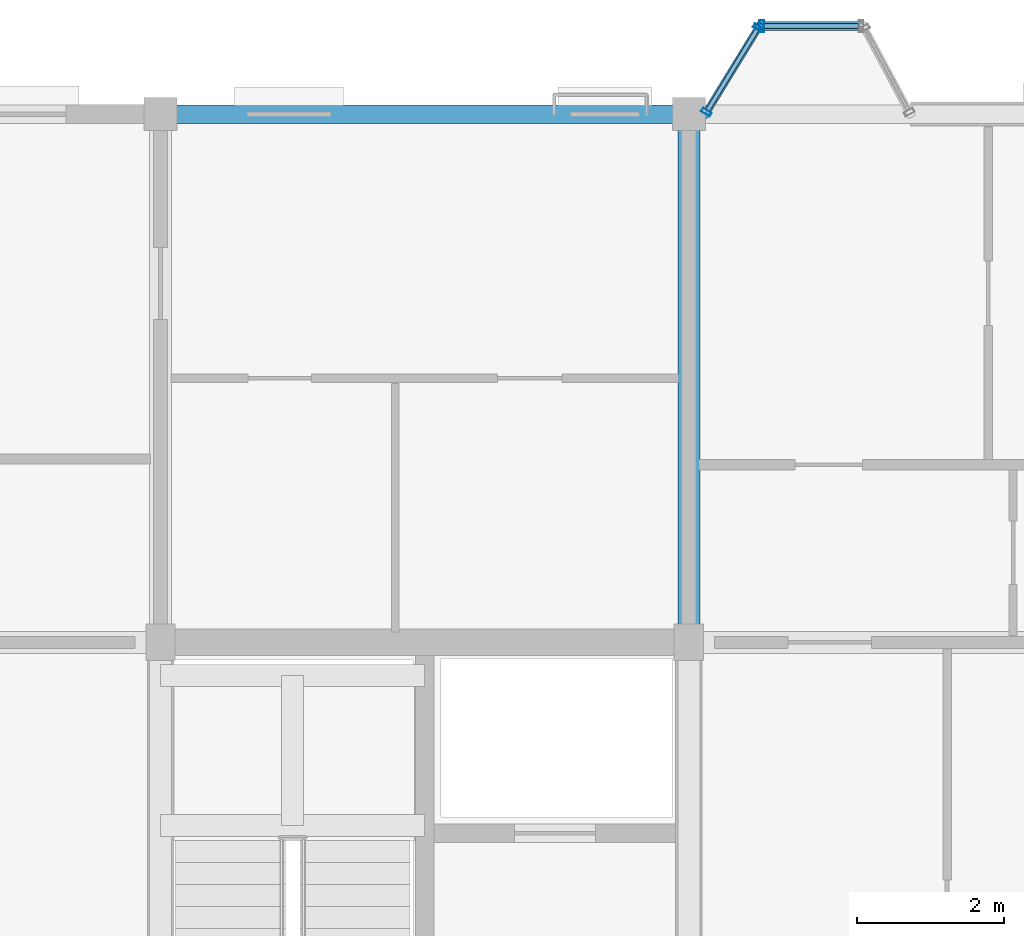
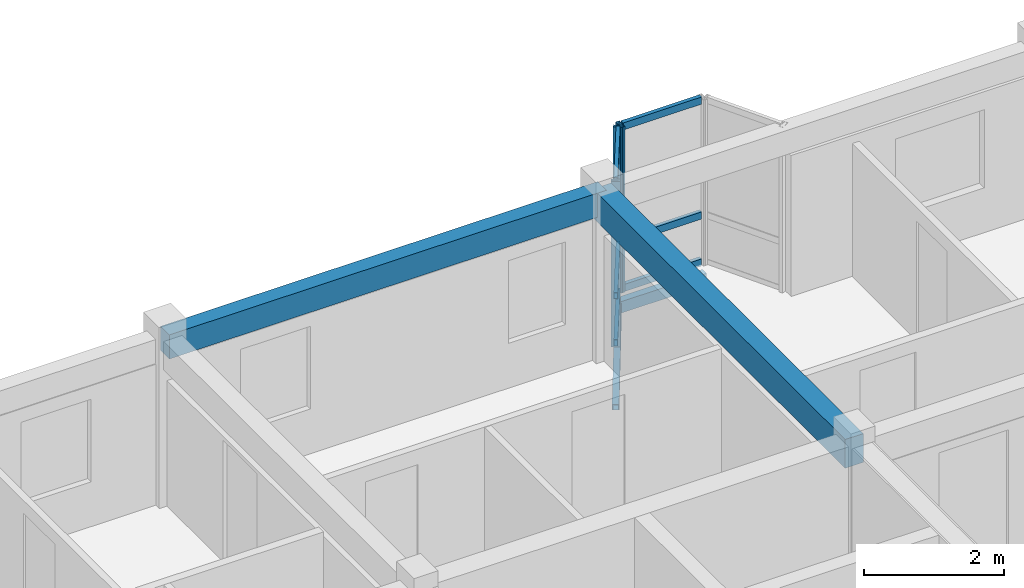
# One storey, part 11 of 28: 11 members, 2 beams, 2 elements without a shape of their own.
"""IFC4 building model written with IfcOpenShell, lengths in metres."""

from ifc_helpers import new_model, si_unit, direction, frame, origin, origin_2d, place, context, subcontext, project, spatial, rectangle, hollow_rectangle, extrude, material, layer, layer_set, material_profile, profile_set, type_object, element, aggregate, save


model = new_model("IFC4")

# Units and contexts
model_context = context("Model", 3, precision=1e-05, world=origin(), true_north=direction((0.0, 1.0)))
body_context = subcontext(model_context, "Body", "Model", "MODEL_VIEW")
ifc_project = project(units=[si_unit("LENGTHUNIT", "METRE"), si_unit("AREAUNIT", "SQUARE_METRE"), si_unit("VOLUMEUNIT", "CUBIC_METRE"), si_unit("PLANEANGLEUNIT", "RADIAN"), si_unit("MASSUNIT", "GRAM", prefix="KILO"), si_unit("THERMODYNAMICTEMPERATUREUNIT", "KELVIN"), si_unit("POWERUNIT", "WATT")], contexts=[model_context])

# Site, building, storey
site_placement = place(None, origin())
site = spatial("IfcSite", under=ifc_project, at=site_placement, CompositionType="ELEMENT")
building_placement = place(site_placement, origin())
building = spatial("IfcBuilding", under=site, at=building_placement, Name="Tavuni Mirador Residences", CompositionType="ELEMENT")
storey_placement = place(building_placement, frame((0.0, 0.0, 39.14990234375)))
storey = spatial("IfcBuildingStorey", under=building, at=storey_placement, Name="L12", CompositionType="ELEMENT", Elevation=39.14990234375)

# Beams
ifc_material_1 = material(Name="Precast concrete C40/50", Category="concrete")
ifc_material_profile_1 = material_profile(ifc_material_1, rectangle(XDim=0.300048828125, YDim=0.5, at=origin_2d()), Name="PC 300x500", Category="concrete")
ifc_profile_set_1 = profile_set([ifc_material_profile_1], Name="Precast concrete C40/50")
beam_type_1 = type_object("IfcBeamType", Name="BT-B500", PredefinedType="BEAM", material=ifc_profile_set_1)
beam_1_placement = place(storey_placement, frame((32.39990234375, 165.60009765625, 2.635009765625), z_axis=(0.0, 1.0, 0.0), x_axis=(-1.0, 0.0, 0.0)))
element("IfcBeam", 1, at=beam_1_placement, inside=storey, type_object=beam_type_1, Name="BMY-BLK-C-L12-02-02", PredefinedType="BEAM", context=body_context, shape_type="SweptSolid", body=[
    extrude(rectangle(XDim=0.300048828125, YDim=0.5, at=origin_2d()), origin(), (0.0, 0.0, 1.0), 7.199951171875),
])
ifc_material_profile_2 = material_profile(ifc_material_1, rectangle(XDim=0.25, YDim=0.419921875, at=origin_2d()), Name="PC 250x420", Category="concrete")
ifc_profile_set_2 = profile_set([ifc_material_profile_2], Name="Precast concrete C40/50")
beam_type_2 = type_object("IfcBeamType", Name="BT-SP420", PredefinedType="SPANDREL", material=ifc_profile_set_2)
beam_2_placement = place(storey_placement, frame((25.199951171875, 172.800048828125, 2.675048828125), z_axis=(1.0, 0.0, 0.0), x_axis=(0.0, 1.0, 0.0)))
element("IfcBeam", 2, at=beam_2_placement, inside=storey, type_object=beam_type_2, Name="BMX-BLK-C-L12-01-03", PredefinedType="SPANDREL", context=body_context, shape_type="SweptSolid", body=[
    extrude(rectangle(XDim=0.25, YDim=0.419921875, at=origin_2d()), origin(), (0.0, 0.0, 1.0), 7.199951171875),
])

# Curtain wall, members
ifc_material_2 = material(Name="Anodised aluminium", Category="aluminium")
ifc_layer_1 = layer(ifc_material_2, 0.175048828125, Name="Anodised aluminium", Category="aluminium")
ifc_layer_set_1 = layer_set([ifc_layer_1], Name="Anodised aluminium")
curtain_wall_type_1 = type_object("IfcCurtainWallType", Name="CWT-MIR-C", PredefinedType="NOTDEFINED", material=ifc_layer_set_1)
curtain_wall_1_placement = place(storey_placement, origin())
curtain_wall_1 = element("IfcCurtainWall", 3, at=curtain_wall_1_placement, inside=storey, type_object=curtain_wall_type_1, Name="CW-MIR-C-N2-L12-M2", PredefinedType="NOTDEFINED")
ifc_material_profile_3 = material_profile(ifc_material_2, hollow_rectangle(XDim=0.06005859375, YDim=0.139892578125, WallThickness=0.00390625, at=origin_2d()), Name="ALU 60x140x4.0", Category="aluminium")
ifc_profile_set_3 = profile_set([ifc_material_profile_3], Name="Anodised aluminium")
member_type_1 = type_object("IfcMemberType", Name="CWM-140", PredefinedType="MULLION", material=ifc_profile_set_3)
member_1_placement = place(storey_placement, frame((33.34423828125, 173.974365234375, 0.0), z_axis=(0.0, 0.0, 1.0), x_axis=(-0.522312079088, -0.852754414845, 0.0)))
member_1 = element("IfcMember", 4, at=member_1_placement, type_object=member_type_1, Name="CW-03 mullion 1", PredefinedType="MULLION", context=body_context, shape_type="SweptSolid", body=[
    extrude(hollow_rectangle(XDim=0.06005859375, YDim=0.139892578125, WallThickness=0.00390625, at=origin_2d()), origin(), (0.0, 0.0, 1.0), 2.885009765625),
])
member_2_placement = place(storey_placement, frame((32.640625, 172.82568359375, 0.0), z_axis=(0.0, 0.0, 1.0), x_axis=(-0.522312079088, -0.852754414845, 0.0)))
member_2 = element("IfcMember", 5, at=member_2_placement, type_object=member_type_1, Name="CW-03 mullion 2", PredefinedType="MULLION", context=body_context, shape_type="SweptSolid", body=[
    extrude(hollow_rectangle(XDim=0.06005859375, YDim=0.139892578125, WallThickness=0.00390625, at=origin_2d()), origin(), (0.0, 0.0, 1.0), 2.885009765625),
])

# Curtain wall, member
ifc_layer_2 = layer(ifc_material_2, 0.14990234375, Name="Anodised aluminium", Category="aluminium")
ifc_layer_set_2 = layer_set([ifc_layer_2], Name="Anodised aluminium")
curtain_wall_type_2 = type_object("IfcCurtainWallType", Name="CWT-MIR-B", PredefinedType="NOTDEFINED", material=ifc_layer_set_2)
curtain_wall_2_placement = place(storey_placement, origin())
curtain_wall_2 = element("IfcCurtainWall", 6, at=curtain_wall_2_placement, inside=storey, type_object=curtain_wall_type_2, Name="CW-MIR-C-N2-L12-MF", PredefinedType="NOTDEFINED")
ifc_material_profile_4 = material_profile(ifc_material_2, hollow_rectangle(XDim=0.06494140625, YDim=0.1650390625, WallThickness=0.00439453125, at=origin_2d()), Name="ALU 65x165x4.5", Category="aluminium")
ifc_profile_set_4 = profile_set([ifc_material_profile_4], Name="Anodised aluminium")
member_type_2 = type_object("IfcMemberType", Name="CWM-165", PredefinedType="MULLION", material=ifc_profile_set_4)
member_3_placement = place(storey_placement, frame((33.392578125, 174.0, 0.0), z_axis=(0.0, 0.0, 1.0), x_axis=(-1.0, 0.0, 0.0)))
member_3 = element("IfcMember", 7, at=member_3_placement, type_object=member_type_2, Name="CW-02 mullion 2", PredefinedType="MULLION", context=body_context, shape_type="SweptSolid", body=[
    extrude(hollow_rectangle(XDim=0.06494140625, YDim=0.1650390625, WallThickness=0.00439453125, at=origin_2d()), origin(), (0.0, 0.0, 1.0), 2.885009765625),
])

# Member
ifc_material_profile_5 = material_profile(ifc_material_2, hollow_rectangle(XDim=0.06005859375, YDim=0.110107421875, WallThickness=0.00390625, at=origin_2d()), Name="ALU 60x110x4.0", Category="aluminium")
ifc_profile_set_5 = profile_set([ifc_material_profile_5], Name="Anodised aluminium")
member_type_3 = type_object("IfcMemberType", Name="CWT-110", PredefinedType="USERDEFINED", material=ifc_profile_set_5)
member_4_placement = place(storey_placement, frame((33.32861328125, 173.94873046875, 0.030029296875), z_axis=(-0.522339663439, -0.852737518817, 0.0), x_axis=(0.852737518817, -0.522339663439, 0.0)))
member_4 = element("IfcMember", 8, at=member_4_placement, type_object=member_type_3, Name="CW-03 transom 1.1", ObjectType="TRANSOM", PredefinedType="USERDEFINED", context=body_context, shape_type="SweptSolid", body=[
    extrude(hollow_rectangle(XDim=0.06005859375, YDim=0.110107421875, WallThickness=0.00390625, at=origin_2d()), origin(), (0.0, 0.0, 1.0), 1.287109375),
])

member_5_placement = place(storey_placement, frame((33.32861328125, 173.94873046875, 0.85009765625), z_axis=(-0.522339663439, -0.852737518817, 0.0), x_axis=(0.852737518817, -0.522339663439, 0.0)))
member_5 = element("IfcMember", 9, at=member_5_placement, type_object=member_type_3, Name="CW-03 transom 1.2", ObjectType="TRANSOM", PredefinedType="USERDEFINED", context=body_context, shape_type="SweptSolid", body=[
    extrude(hollow_rectangle(XDim=0.06005859375, YDim=0.110107421875, WallThickness=0.00390625, at=origin_2d()), origin(), (0.0, 0.0, 1.0), 1.287109375),
])

member_6_placement = place(storey_placement, frame((33.32861328125, 173.94873046875, 2.85498046875), z_axis=(-0.522339663439, -0.852737518817, 0.0), x_axis=(0.852737518817, -0.522339663439, 0.0)))
member_6 = element("IfcMember", 10, at=member_6_placement, type_object=member_type_3, Name="CW-03 transom 1.3", ObjectType="TRANSOM", PredefinedType="USERDEFINED", context=body_context, shape_type="SweptSolid", body=[
    extrude(hollow_rectangle(XDim=0.06005859375, YDim=0.110107421875, WallThickness=0.00390625, at=origin_2d()), origin(), (0.0, 0.0, 1.0), 1.287109375),
])

aggregate(curtain_wall_1, [member_1, member_2, member_4, member_5, member_6])

ifc_material_profile_6 = material_profile(ifc_material_2, hollow_rectangle(XDim=0.06494140625, YDim=0.125, WallThickness=0.00439453125, at=origin_2d()), Name="ALU 65x125x4.5", Category="aluminium")
ifc_profile_set_6 = profile_set([ifc_material_profile_6], Name="Anodised aluminium")
member_type_4 = type_object("IfcMemberType", Name="CWT-125", PredefinedType="USERDEFINED", material=ifc_profile_set_6)
member_7_placement = place(storey_placement, frame((34.715087890625, 174.0, 0.03271484375), z_axis=(-1.0, 0.0, 0.0), x_axis=(0.0, -1.0, 0.0)))
member_7 = element("IfcMember", 11, at=member_7_placement, type_object=member_type_4, Name="CW-02 transom 1.1", ObjectType="TRANSOM", PredefinedType="USERDEFINED", context=body_context, shape_type="SweptSolid", body=[
    extrude(hollow_rectangle(XDim=0.06494140625, YDim=0.125, WallThickness=0.00439453125, at=origin_2d()), origin(), (0.0, 0.0, 1.0), 1.2900390625),
])

member_8_placement = place(storey_placement, frame((34.715087890625, 174.0, 0.85009765625), z_axis=(-1.0, 0.0, 0.0), x_axis=(0.0, -1.0, 0.0)))
member_8 = element("IfcMember", 12, at=member_8_placement, type_object=member_type_4, Name="CW-02 transom 1.2", ObjectType="TRANSOM", PredefinedType="USERDEFINED", context=body_context, shape_type="SweptSolid", body=[
    extrude(hollow_rectangle(XDim=0.06494140625, YDim=0.125, WallThickness=0.00439453125, at=origin_2d()), origin(), (0.0, 0.0, 1.0), 1.2900390625),
])

member_9_placement = place(storey_placement, frame((34.715087890625, 174.0, 2.8525390625), z_axis=(-1.0, 0.0, 0.0), x_axis=(0.0, -1.0, 0.0)))
member_9 = element("IfcMember", 13, at=member_9_placement, type_object=member_type_4, Name="CW-02 transom 1.3", ObjectType="TRANSOM", PredefinedType="USERDEFINED", context=body_context, shape_type="SweptSolid", body=[
    extrude(hollow_rectangle(XDim=0.06494140625, YDim=0.125, WallThickness=0.00439453125, at=origin_2d()), origin(), (0.0, 0.0, 1.0), 1.2900390625),
])

aggregate(curtain_wall_2, [member_3, member_7, member_8, member_9])

# Members
ifc_material_3 = material(Name="Structural steel S355", Category="steel")
ifc_material_profile_7 = material_profile(ifc_material_3, hollow_rectangle(XDim=0.10009765625, YDim=0.179931640625, WallThickness=0.008056640625, at=origin_2d()), Name="RHS 180x100x8.0", Category="steel")
ifc_profile_set_7 = profile_set([ifc_material_profile_7], Name="Structural steel S355")
member_type_5 = type_object("IfcMemberType", Name="MT-BR-RHS180", PredefinedType="BRACE", material=ifc_profile_set_7)
member_10_placement = place(storey_placement, frame((32.625, 172.800048828125, -1.0498046875), z_axis=(0.456214367728, 0.744700636792, 0.487123610842), x_axis=(-0.852710945369, 0.522383043033, 0.0)))
element("IfcMember", 14, at=member_10_placement, inside=storey, type_object=member_type_5, Name="MBRK-MIR-C-N2-L12-1", PredefinedType="BRACE", context=body_context, shape_type="SweptSolid", body=[
    extrude(hollow_rectangle(XDim=0.10009765625, YDim=0.179931640625, WallThickness=0.008056640625, at=origin_2d()), origin(), (0.0, 0.0, 1.0), 1.611328125),
])
ifc_material_profile_8 = material_profile(ifc_material_3, hollow_rectangle(XDim=0.1201171875, YDim=0.199951171875, WallThickness=0.010009765625, at=origin_2d()), Name="RHS 200x120x10.0", Category="steel")
ifc_profile_set_8 = profile_set([ifc_material_profile_8], Name="Structural steel S355")
member_type_6 = type_object("IfcMemberType", Name="MT-ST-RHS200", PredefinedType="STRUT", material=ifc_profile_set_8)
member_11_placement = place(storey_placement, frame((33.360107421875, 174.0, -0.264892578125), z_axis=(1.0, 0.0, 0.0), x_axis=(0.0, 1.0, 0.0)))
element("IfcMember", 15, at=member_11_placement, inside=storey, type_object=member_type_6, Name="MRIM-MIR-C-N2-L12", PredefinedType="STRUT", context=body_context, shape_type="SweptSolid", body=[
    extrude(hollow_rectangle(XDim=0.1201171875, YDim=0.199951171875, WallThickness=0.010009765625, at=origin_2d()), origin(), (0.0, 0.0, 1.0), 1.419921875),
])

save(model, "model.ifc")
